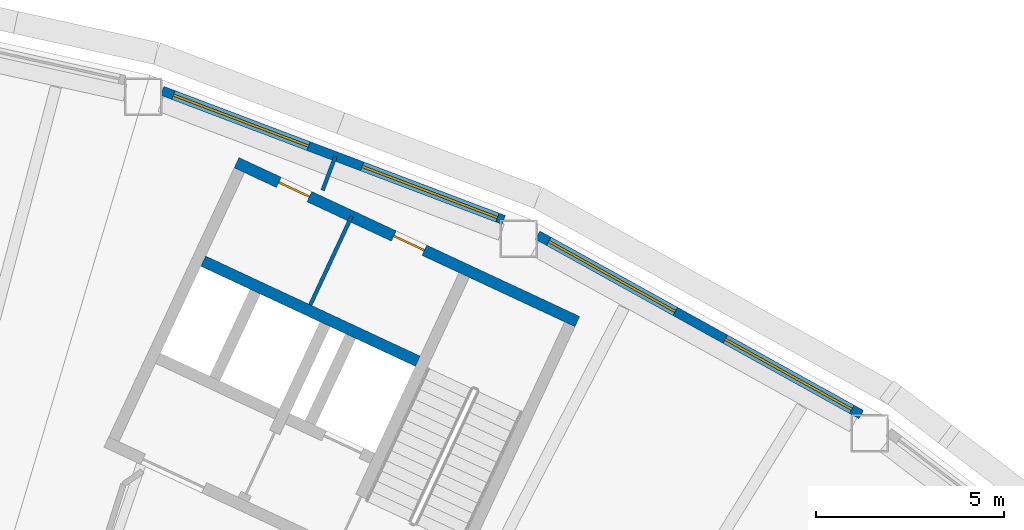
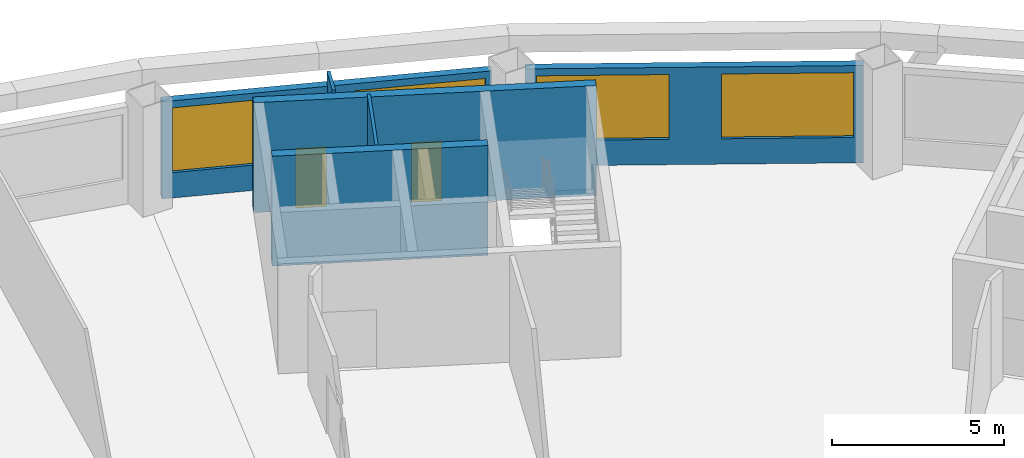
# One storey, part 8 of 11: 6 walls, 4 windows, 2 doors, 6 openings.
"""IFC4 building model written with IfcOpenShell, lengths in metres."""

import ifcopenshell
import ifcopenshell.guid

model = None  # the IFC model being written
_history = None  # IfcOwnerHistory: only IFC2X3 demands one
_inside = {}  # id of a spatial element -> (the spatial element, [elements in it])
_under = {}  # id of a project, library or spatial element -> (it, [spatial elements below it])
_declared = {}  # id of a project -> (the project, [libraries it declares])
_typed = {}  # id of a type object -> (the type object, [elements of that type])
_made_of = {}  # id of a material, layer set ... -> (it, [elements and type objects made of it])


def new_model(schema):
    """Start an empty IFC model of exactly this schema.

    Asked for "IFC4X3", IfcOpenShell would pick the latest addendum, in which some entities
    have other attributes; the version numbers below select the first issue.
    IFC2X3 requires an IfcOwnerHistory on every rooted entity: one is made here for all.
    """
    global model, _history
    if schema == "IFC4X3":
        model = ifcopenshell.file(schema_version=(4, 3, 0, 0))
    else:
        model = ifcopenshell.file(schema=schema)
    _inside.clear()
    _under.clear()
    _declared.clear()
    _typed.clear()
    _made_of.clear()
    _history = None
    if model.schema == "IFC2X3":
        org = make("IfcOrganization", Name="unknown")
        user = make(
            "IfcPersonAndOrganization",
            ThePerson=make("IfcPerson", FamilyName="unknown"),
            TheOrganization=org,
        )
        app = make(
            "IfcApplication",
            ApplicationDeveloper=org,
            Version="unknown",
            ApplicationFullName="unknown",
            ApplicationIdentifier="unknown",
        )
        _history = make(
            "IfcOwnerHistory",
            OwningUser=user,
            OwningApplication=app,
            ChangeAction="ADDED",
            CreationDate=0,
        )
    return model


def make(cls, **values):
    """One entity of the class cls with the attributes given. An attribute that is None is left unset."""
    return model.create_entity(
        cls, **{name: value for name, value in values.items() if value is not None}
    )


def rooted(cls, **values):
    """An entity with a GlobalId (a new one), such as an element, a storey or a relation."""
    return make(cls, GlobalId=ifcopenshell.guid.new(), OwnerHistory=_history, **values)


def si_unit(unit_type, name, prefix=None):
    """IfcSIUnit, for example si_unit("LENGTHUNIT", "METRE", prefix="MILLI")."""
    return make("IfcSIUnit", UnitType=unit_type, Prefix=prefix, Name=name)


def assignment(units):
    """IfcUnitAssignment: the units of a project."""
    return None if units is None else make("IfcUnitAssignment", Units=units)


def point(xyz):
    """IfcCartesianPoint."""
    return None if xyz is None else make("IfcCartesianPoint", Coordinates=xyz)


def direction(xyz):
    """IfcDirection."""
    return None if xyz is None else make("IfcDirection", DirectionRatios=xyz)


def frame(location, z_axis=None, x_axis=None):
    """IfcAxis2Placement3D, a coordinate frame: its origin and axes. An axis left out is left unset."""
    return make(
        "IfcAxis2Placement3D",
        Location=point(location),
        Axis=direction(z_axis),
        RefDirection=direction(x_axis),
    )


def frame_2d(location, x_axis=None):
    """IfcAxis2Placement2D, a coordinate frame in the plane: its origin and x axis."""
    return make(
        "IfcAxis2Placement2D", Location=point(location), RefDirection=direction(x_axis)
    )


def origin():
    """The frame at (0, 0, 0) with its axes left unset."""
    return frame((0.0, 0.0, 0.0))


def place(relative_to, where):
    """IfcLocalPlacement: puts the frame where relative to a parent placement (None: the world)."""
    return make(
        "IfcLocalPlacement", PlacementRelTo=relative_to, RelativePlacement=where
    )


def context(
    kind, dimensions, precision=None, world=None, true_north=None, identifier=None
):
    """IfcGeometricRepresentationContext, for example the 3D "Model" context."""
    return make(
        "IfcGeometricRepresentationContext",
        ContextIdentifier=identifier,
        ContextType=kind,
        CoordinateSpaceDimension=dimensions,
        Precision=precision,
        WorldCoordinateSystem=world,
        TrueNorth=true_north,
    )


def subcontext(parent, identifier, kind, view, scale=None):
    """IfcGeometricRepresentationSubContext, for example "Body" below "Model"."""
    return make(
        "IfcGeometricRepresentationSubContext",
        ContextIdentifier=identifier,
        ContextType=kind,
        ParentContext=parent,
        TargetScale=scale,
        TargetView=view,
    )


def project(units=None, contexts=None):
    """IfcProject with its units and contexts."""
    return rooted(
        "IfcProject",
        Name="project",
        RepresentationContexts=contexts,
        UnitsInContext=assignment(units),
    )


def spatial(cls, under=None, at=None, **own):
    """A site, building, storey or space (cls), placed at a placement, below another one or the project."""
    s = rooted(cls, ObjectPlacement=at, **own)
    if under is not None:
        _under.setdefault(under.id(), (under, []))[1].append(s)
    return s


def profile(cls, at=None, kind="AREA", **sizes):
    """A parametric profile (cls). Its sizes go by their IFC names, for example OverallWidth=200.0."""
    return make(cls, ProfileType=kind, Position=at, **sizes)


def rectangle(**sizes):
    """IfcRectangleProfileDef."""
    return profile("IfcRectangleProfileDef", **sizes)


def extrude(swept, where, along, depth):
    """IfcExtrudedAreaSolid: the profile swept, set in the frame where, extruded along a direction by depth."""
    return make(
        "IfcExtrudedAreaSolid",
        SweptArea=swept,
        Position=where,
        ExtrudedDirection=direction(along),
        Depth=depth,
    )


def shape(context_of_items, identifier, shape_type, items):
    """IfcShapeRepresentation: the items that make up one representation, for example the "Body"."""
    return make(
        "IfcShapeRepresentation",
        ContextOfItems=context_of_items,
        RepresentationIdentifier=identifier,
        RepresentationType=shape_type,
        Items=items,
    )


def material(Name=None, Category=None):
    """IfcMaterial."""
    return make("IfcMaterial", Name=Name, Category=Category)


def layer(
    of_material, thickness, ventilated=None, Name=None, Category=None, Priority=None
):
    """IfcMaterialLayer: one layer of a wall or slab, of a material (None: an air gap)."""
    return make(
        "IfcMaterialLayer",
        Material=of_material,
        LayerThickness=thickness,
        IsVentilated=ventilated,
        Name=Name,
        Category=Category,
        Priority=Priority,
    )


def layer_set(layers, Name=None):
    """IfcMaterialLayerSet."""
    return make("IfcMaterialLayerSet", MaterialLayers=layers, LayerSetName=Name)


def made_of(thing, what):
    """Note that an element or type object is made of a material, layer set ...; save() writes the relation."""
    if what is not None:
        _made_of.setdefault(what.id(), (what, []))[1].append(thing)
    return thing


def type_object(cls, material=None, **own):
    """A type object (cls), such as IfcWallType, which elements share."""
    return made_of(rooted(cls, **own), material)


def element(
    cls,
    number,
    at=None,
    inside=None,
    cuts=None,
    type_object=None,
    material=None,
    context=None,
    identifier="Body",
    shape_type=None,
    held_by="IfcProductDefinitionShape",
    body=None,
    shapes=None,
    **own,
):
    """One element of the class cls, such as IfcWall. Its Tag is "e" and its number.

    at: its placement. inside: the storey or other place that contains it. cuts: it is an
    opening in that element (IfcRelVoidsElement). A single representation is given by context,
    identifier, shape_type and body (its items); several are given by shapes. held_by: the class
    of the entity that holds the representations. save() writes the other relations.
    """
    e = rooted(cls, Tag="e%d" % number, ObjectPlacement=at, **own)
    if body is not None:
        shapes = [shape(context, identifier, shape_type, body)]
    if shapes is not None:
        e.Representation = make(held_by, Representations=shapes)
    if inside is not None:
        _inside.setdefault(inside.id(), (inside, []))[1].append(e)
    if cuts is not None:
        rooted(
            "IfcRelVoidsElement", RelatingBuildingElement=cuts, RelatedOpeningElement=e
        )
    if type_object is not None:
        _typed.setdefault(type_object.id(), (type_object, []))[1].append(e)
    return made_of(e, material)


def fill(opening, filler):
    """IfcRelFillsElement: the door or window that sits in an opening."""
    return rooted(
        "IfcRelFillsElement",
        RelatingOpeningElement=opening,
        RelatedBuildingElement=filler,
    )


def aggregate(whole, parts):
    """IfcRelAggregates: a whole, such as a stair, and the parts it consists of."""
    return rooted("IfcRelAggregates", RelatingObject=whole, RelatedObjects=parts)


def save(model, path):
    """Write the relations noted so far, then the file.

    IfcRelAggregates (storeys below a building ...), IfcRelContainedInSpatialStructure (elements
    in a storey), IfcRelDefinesByType, IfcRelAssociatesMaterial and IfcRelDeclares: one each for
    every whole, place, type object, material and project.
    """
    for whole, parts in _under.values():
        aggregate(whole, parts)
    for where, things in _inside.values():
        rooted(
            "IfcRelContainedInSpatialStructure",
            RelatedElements=things,
            RelatingStructure=where,
        )
    for kind, things in _typed.values():
        rooted("IfcRelDefinesByType", RelatedObjects=things, RelatingType=kind)
    for what, things in _made_of.values():
        rooted("IfcRelAssociatesMaterial", RelatedObjects=things, RelatingMaterial=what)
    for by, libraries in _declared.values():
        rooted("IfcRelDeclares", RelatingContext=by, RelatedDefinitions=libraries)
    model.write(path)


model = new_model("IFC4")

# Units and contexts
model_context = context("Model", 3, precision=1e-05, world=origin(), true_north=direction((0.0, 1.0)))
body_context = subcontext(model_context, "Body", "Model", "MODEL_VIEW")
ifc_project = project(units=[si_unit("LENGTHUNIT", "METRE"), si_unit("AREAUNIT", "SQUARE_METRE"), si_unit("VOLUMEUNIT", "CUBIC_METRE"), si_unit("PLANEANGLEUNIT", "RADIAN"), si_unit("MASSUNIT", "GRAM", prefix="KILO")], contexts=[model_context])

# Site, building, storey
site_placement = place(None, origin())
site = spatial("IfcSite", under=ifc_project, at=site_placement, CompositionType="ELEMENT")
building_placement = place(site_placement, origin())
building = spatial("IfcBuilding", under=site, at=building_placement, Name="Tuul Gate Civic Tower", CompositionType="ELEMENT")
storey_placement = place(building_placement, frame((0.0, 0.0, 159.199951171875)))
storey = spatial("IfcBuildingStorey", under=building, at=storey_placement, Name="Level 36", CompositionType="ELEMENT", Elevation=159.199951171875)

# Wall
ifc_material_1 = material(Name="Concrete C50/60", Category="concrete")
ifc_layer_1 = layer(ifc_material_1, 0.300048828125)
ifc_layer_set_1 = layer_set([ifc_layer_1], Name="Concrete C50/60")
wall_type_1 = type_object("IfcWallType", Name="Core wall C50/60", PredefinedType="SHEAR", material=ifc_layer_set_1)
wall_1_placement = place(storey_placement, frame((33.75, -0.873779296875, 0.0), z_axis=(0.0, 0.0, 1.0), x_axis=(-0.906300917592, 0.422632992999, 0.0)))
element("IfcWall", 1, at=wall_1_placement, inside=storey, type_object=wall_type_1, Name="Core wall", PredefinedType="SHEAR", context=body_context, shape_type="SweptSolid", body=[
    extrude(rectangle(XDim=6.300048828125, YDim=0.300048828125, at=frame_2d((3.14990234375, 0.0))), origin(), (0.0, 0.0, 1.0), 3.900146484375),
])

# Wall, openings, doors
wall_2_placement = place(storey_placement, frame((37.993408203125, 0.181884765625, 0.0), z_axis=(0.0, 0.0, 1.0), x_axis=(-0.906310338845, 0.422612789327, 0.0)))
wall_2 = element("IfcWall", 2, at=wall_2_placement, inside=storey, type_object=wall_type_1, Name="Core wall", PredefinedType="SHEAR", context=body_context, shape_type="SweptSolid", body=[
    extrude(rectangle(XDim=9.999755859375, YDim=0.300048828125, at=frame_2d((5.0, 0.0))), origin(), (0.0, 0.0, 1.0), 3.900146484375),
])
opening_1_placement = place(wall_2_placement, frame((4.487548828125, 0.0, 0.0)))
opening_1 = element("IfcOpeningElement", 3, at=opening_1_placement, cuts=wall_2, Name="Opening M-D21", PredefinedType="OPENING", context=body_context, shape_type="SweptSolid", body=[
    extrude(rectangle(XDim=0.89990234375, YDim=2.10009765625, at=frame_2d((0.449951171875, 1.050048828125))), frame((0.0, 0.16015625, 0.0), z_axis=(0.0, -1.0, 0.0), x_axis=(1.0, 0.0, 0.0)), (0.0, 0.0, 1.0), 0.320068359375),
])
opening_2_placement = place(wall_2_placement, frame((7.862548828125, 0.0, 0.0)))
opening_2 = element("IfcOpeningElement", 4, at=opening_2_placement, cuts=wall_2, Name="Opening M-D22", PredefinedType="OPENING", context=body_context, shape_type="SweptSolid", body=[
    extrude(rectangle(XDim=0.89990234375, YDim=2.10009765625, at=frame_2d((0.449951171875, 1.050048828125))), frame((0.0, 0.16015625, 0.0), z_axis=(0.0, -1.0, 0.0), x_axis=(1.0, 0.0, 0.0)), (0.0, 0.0, 1.0), 0.320068359375),
])
ifc_material_2 = material(Name="Timber door leaf", Category="wood")
door_type = type_object("IfcDoorType", Name="Door D09", OperationType="NOTDEFINED", PredefinedType="DOOR", material=ifc_material_2)
door_1_placement = place(opening_1_placement, origin())
door_1 = element("IfcDoor", 5, at=door_1_placement, inside=storey, type_object=door_type, Name="Door M-D21", OperationType="SINGLE_SWING_LEFT", OverallHeight=2.10009765625, OverallWidth=0.89990234375, PredefinedType="DOOR", context=body_context, shape_type="SweptSolid", body=[
    extrude(rectangle(XDim=0.89990234375, YDim=2.10009765625, at=frame_2d((0.449951171875, 1.050048828125))), frame((0.0, 0.02490234375, 0.0), z_axis=(0.0, -1.0, 0.0), x_axis=(1.0, 0.0, 0.0)), (0.0, 0.0, 1.0), 0.050048828125),
])
fill(opening_1, door_1)
door_2_placement = place(opening_2_placement, origin())
door_2 = element("IfcDoor", 6, at=door_2_placement, inside=storey, type_object=door_type, Name="Door M-D22", OperationType="SINGLE_SWING_RIGHT", OverallHeight=2.10009765625, OverallWidth=0.89990234375, PredefinedType="DOOR", context=body_context, shape_type="SweptSolid", body=[
    extrude(rectangle(XDim=0.89990234375, YDim=2.10009765625, at=frame_2d((0.449951171875, 1.050048828125))), frame((0.0, 0.02490234375, 0.0), z_axis=(0.0, -1.0, 0.0), x_axis=(1.0, 0.0, 0.0)), (0.0, 0.0, 1.0), 0.050048828125),
])
fill(opening_2, door_2)

# Wall, openings, windows
ifc_material_3 = material(Name="Precast concrete C40/50", Category="concrete")
ifc_layer_2 = layer(ifc_material_3, 0.25)
ifc_layer_set_2 = layer_set([ifc_layer_2], Name="Precast concrete C40/50")
wall_type_2 = type_object("IfcWallType", Name="External wall", PredefinedType="STANDARD", material=ifc_layer_set_2)
wall_3_placement = place(storey_placement, frame((45.545166015625, -2.291015625, 0.0), z_axis=(0.0, 0.0, 1.0), x_axis=(-0.874631968484, 0.484787499536, 0.0)))
wall_3 = element("IfcWall", 7, at=wall_3_placement, inside=storey, type_object=wall_type_2, Name="External wall", PredefinedType="STANDARD", context=body_context, shape_type="SweptSolid", body=[
    extrude(rectangle(XDim=9.8408203125, YDim=0.25, at=frame_2d((4.92041015625, 0.0))), origin(), (0.0, 0.0, 1.0), 3.449951171875),
])
opening_3_placement = place(wall_3_placement, frame((0.283447265625, 0.0, 0.89990234375)))
opening_3 = element("IfcOpeningElement", 8, at=opening_3_placement, cuts=wall_3, Name="Opening W22", PredefinedType="OPENING", context=body_context, shape_type="SweptSolid", body=[
    extrude(rectangle(XDim=3.85009765625, YDim=2.300048828125, at=frame_2d((1.925048828125, 1.14990234375))), frame((0.0, 0.135009765625, 0.0), z_axis=(0.0, -1.0, 0.0), x_axis=(1.0, 0.0, 0.0)), (0.0, 0.0, 1.0), 0.27001953125),
])
opening_4_placement = place(wall_3_placement, frame((5.655029296875, 0.0, 0.89990234375)))
opening_4 = element("IfcOpeningElement", 9, at=opening_4_placement, cuts=wall_3, Name="Opening W22", PredefinedType="OPENING", context=body_context, shape_type="SweptSolid", body=[
    extrude(rectangle(XDim=3.85009765625, YDim=2.300048828125, at=frame_2d((1.925048828125, 1.14990234375))), frame((0.0, 0.135009765625, 0.0), z_axis=(0.0, -1.0, 0.0), x_axis=(1.0, 0.0, 0.0)), (0.0, 0.0, 1.0), 0.27001953125),
])
ifc_material_4 = material(Name="Glass", Category="glass")
window_type = type_object("IfcWindowType", Name="Window W22 3850 x 2300", PartitioningType="SINGLE_PANEL", PredefinedType="WINDOW", material=ifc_material_4)
window_1_placement = place(opening_3_placement, origin())
window_1 = element("IfcWindow", 10, at=window_1_placement, inside=storey, type_object=window_type, Name="Window", OverallHeight=2.300048828125, OverallWidth=3.85009765625, PartitioningType="SINGLE_PANEL", PredefinedType="WINDOW", context=body_context, shape_type="SweptSolid", body=[
    extrude(rectangle(XDim=3.85009765625, YDim=2.300048828125, at=frame_2d((1.925048828125, 1.14990234375))), frame((0.0, 0.030029296875, 0.0), z_axis=(0.0, -1.0, 0.0), x_axis=(1.0, 0.0, 0.0)), (0.0, 0.0, 1.0), 0.06005859375),
])
fill(opening_3, window_1)
window_2_placement = place(opening_4_placement, origin())
window_2 = element("IfcWindow", 11, at=window_2_placement, inside=storey, type_object=window_type, Name="Window", OverallHeight=2.300048828125, OverallWidth=3.85009765625, PartitioningType="SINGLE_PANEL", PredefinedType="WINDOW", context=body_context, shape_type="SweptSolid", body=[
    extrude(rectangle(XDim=3.85009765625, YDim=2.300048828125, at=frame_2d((1.925048828125, 1.14990234375))), frame((0.0, 0.030029296875, 0.0), z_axis=(0.0, -1.0, 0.0), x_axis=(1.0, 0.0, 0.0)), (0.0, 0.0, 1.0), 0.06005859375),
])
fill(opening_4, window_2)

wall_4_placement = place(storey_placement, frame((36.03564453125, 2.885009765625, 0.0), z_axis=(0.0, 0.0, 1.0), x_axis=(-0.935351451724, 0.353719750307, 0.0)))
wall_4 = element("IfcWall", 12, at=wall_4_placement, inside=storey, type_object=wall_type_2, Name="External wall", PredefinedType="STANDARD", context=body_context, shape_type="SweptSolid", body=[
    extrude(rectangle(XDim=9.712646484375, YDim=0.25, at=frame_2d((4.8564453125, 0.0))), origin(), (0.0, 0.0, 1.0), 3.449951171875),
])
opening_5_placement = place(wall_4_placement, frame((0.17578125, 0.0, 0.89990234375)))
opening_5 = element("IfcOpeningElement", 13, at=opening_5_placement, cuts=wall_4, Name="Opening W22", PredefinedType="OPENING", context=body_context, shape_type="SweptSolid", body=[
    extrude(rectangle(XDim=3.85009765625, YDim=2.300048828125, at=frame_2d((1.925048828125, 1.14990234375))), frame((0.0, 0.135009765625, 0.0), z_axis=(0.0, -1.0, 0.0), x_axis=(1.0, 0.0, 0.0)), (0.0, 0.0, 1.0), 0.27001953125),
])
opening_6_placement = place(wall_4_placement, frame((5.546875, 0.0, 0.89990234375)))
opening_6 = element("IfcOpeningElement", 14, at=opening_6_placement, cuts=wall_4, Name="Opening W22", PredefinedType="OPENING", context=body_context, shape_type="SweptSolid", body=[
    extrude(rectangle(XDim=3.85009765625, YDim=2.300048828125, at=frame_2d((1.925048828125, 1.14990234375))), frame((0.0, 0.135009765625, 0.0), z_axis=(0.0, -1.0, 0.0), x_axis=(1.0, 0.0, 0.0)), (0.0, 0.0, 1.0), 0.27001953125),
])
window_3_placement = place(opening_5_placement, origin())
window_3 = element("IfcWindow", 15, at=window_3_placement, inside=storey, type_object=window_type, Name="Window", OverallHeight=2.300048828125, OverallWidth=3.85009765625, PartitioningType="SINGLE_PANEL", PredefinedType="WINDOW", context=body_context, shape_type="SweptSolid", body=[
    extrude(rectangle(XDim=3.85009765625, YDim=2.300048828125, at=frame_2d((1.925048828125, 1.14990234375))), frame((0.0, 0.030029296875, 0.0), z_axis=(0.0, -1.0, 0.0), x_axis=(1.0, 0.0, 0.0)), (0.0, 0.0, 1.0), 0.06005859375),
])
fill(opening_5, window_3)
window_4_placement = place(opening_6_placement, origin())
window_4 = element("IfcWindow", 16, at=window_4_placement, inside=storey, type_object=window_type, Name="Window", OverallHeight=2.300048828125, OverallWidth=3.85009765625, PartitioningType="SINGLE_PANEL", PredefinedType="WINDOW", context=body_context, shape_type="SweptSolid", body=[
    extrude(rectangle(XDim=3.85009765625, YDim=2.300048828125, at=frame_2d((1.925048828125, 1.14990234375))), frame((0.0, 0.030029296875, 0.0), z_axis=(0.0, -1.0, 0.0), x_axis=(1.0, 0.0, 0.0)), (0.0, 0.0, 1.0), 0.06005859375),
])
fill(opening_6, window_4)

# Walls
ifc_material_5 = material(Name="Gypsum board partition")
ifc_layer_3 = layer(ifc_material_5, 0.10009765625)
ifc_layer_set_3 = layer_set([ifc_layer_3], Name="Gypsum board partition")
wall_type_3 = type_object("IfcWallType", Name="Partition P100", PredefinedType="PARTITIONING", material=ifc_layer_set_3)
wall_5_placement = place(storey_placement, frame((31.217041015625, 3.673095703125, 0.0), z_axis=(0.0, 0.0, 1.0), x_axis=(0.353571482385, 0.935407508439, 0.0)))
element("IfcWall", 17, at=wall_5_placement, inside=storey, type_object=wall_type_3, Name="p009", PredefinedType="PARTITIONING", context=body_context, shape_type="SweptSolid", body=[
    extrude(rectangle(XDim=0.97216796875, YDim=0.10009765625, at=frame_2d((0.486083984375, 0.0))), origin(), (0.0, 0.0, 1.0), 3.900146484375),
])
wall_6_placement = place(storey_placement, frame((30.890380859375, 0.625, 0.0), z_axis=(0.0, 0.0, 1.0), x_axis=(0.422597606916, 0.906317418253, 0.0)))
element("IfcWall", 18, at=wall_6_placement, inside=storey, type_object=wall_type_3, Name="bE3-BAND-0", PredefinedType="PARTITIONING", context=body_context, shape_type="SweptSolid", body=[
    extrude(rectangle(XDim=2.600341796875, YDim=0.10009765625, at=frame_2d((1.30029296875, 0.0))), origin(), (0.0, 0.0, 1.0), 3.900146484375),
])

save(model, "model.ifc")
